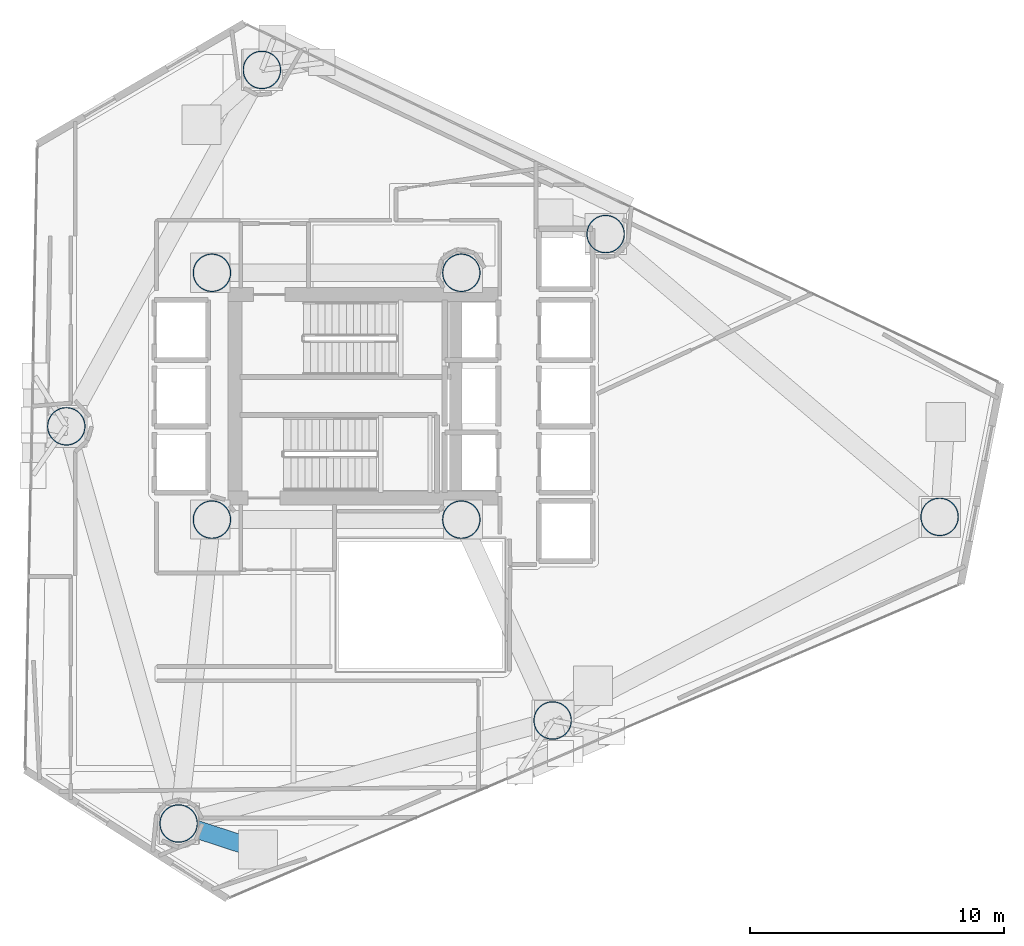
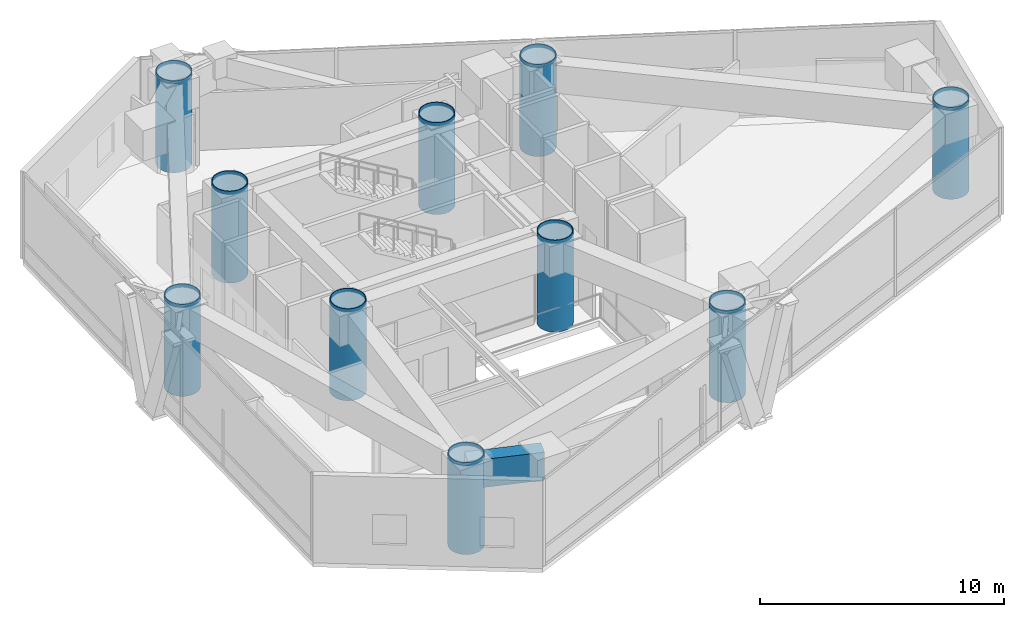
# One storey, part 1 of 22: 10 columns, 1 beam.
"""IFC4 building model written with IfcOpenShell, lengths in metres."""

from ifc_helpers import new_model, si_unit, direction, frame, origin, origin_2d, place, context, subcontext, project, spatial, hollow_rectangle, hollow_circle, extrude, material, material_profile, profile_set, type_object, element, save


model = new_model("IFC4")

# Units and contexts
model_context = context("Model", 3, precision=1e-05, world=origin(), true_north=direction((0.0, 1.0)))
body_context = subcontext(model_context, "Body", "Model", "MODEL_VIEW")
ifc_project = project(units=[si_unit("LENGTHUNIT", "METRE"), si_unit("AREAUNIT", "SQUARE_METRE"), si_unit("VOLUMEUNIT", "CUBIC_METRE"), si_unit("PLANEANGLEUNIT", "RADIAN"), si_unit("MASSUNIT", "GRAM", prefix="KILO")], contexts=[model_context])

# Site, building, storey
site_placement = place(None, origin())
site = spatial("IfcSite", under=ifc_project, at=site_placement, CompositionType="ELEMENT")
building_placement = place(site_placement, origin())
building = spatial("IfcBuilding", under=site, at=building_placement, Name="Qianvela Tower", CompositionType="ELEMENT")
storey_placement = place(building_placement, frame((0.0, 0.0, 138.5)))
storey = spatial("IfcBuildingStorey", under=building, at=storey_placement, Name="L35", CompositionType="ELEMENT", Elevation=138.5)

# Columns
ifc_material_1 = material(Name="Steel Q420GJC", Category="steel")
ifc_material_profile_1 = material_profile(ifc_material_1, hollow_circle(Radius=0.75, WallThickness=0.035888671875, at=origin_2d()), Name="CFT-1500x36")
ifc_profile_set_1 = profile_set([ifc_material_profile_1], Name="Steel Q420GJC")
column_type = type_object("IfcColumnType", Name="COL-CFT-1500x36", PredefinedType="COLUMN", material=ifc_profile_set_1)
for number, where, z_axis, x_axis, name in (
    (1, (28.60009765625, 33.550048828125, 0.0), (0.0, 0.0, 1.0), (1.0, 0.0, 0.0), "L35 Core Corner Mega-Column CC-NW"),
    (2, (28.60009765625, 23.85009765625, 0.0), (0.0, 0.0, 1.0), (1.0, 0.0, 0.0), "L35 Core Corner Mega-Column CC-SW"),
    (3, (38.39990234375, 33.550048828125, 0.0), (0.0, 0.0, 1.0), (1.0, 0.0, 0.0), "L35 Core Corner Mega-Column CC-NE"),
    (4, (38.39990234375, 23.85009765625, 0.0), (0.0, 0.0, 1.0), (1.0, 0.0, 0.0), "L35 Core Corner Mega-Column CC-SE"),
    (5, (57.194091796875, 23.9580078125, 0.0), (0.0, 0.0, 1.0), (1.0, 0.0, 0.0), "L35 Zone Z3 CFT Mega-Column C1"),
    (6, (44.071044921875, 35.070068359375, 0.0), (0.0, 0.0, 1.0), (1.0, 0.0, 0.0), "L35 Zone Z3 CFT Mega-Column C2"),
    (7, (30.56396484375, 41.52099609375, 0.0), (0.0, 0.0, 1.0), (1.0, 0.0, 0.0), "L35 Zone Z3 CFT Mega-Column C3"),
    (8, (22.8779296875, 27.51611328125, 0.0), (0.0, 0.0, 1.0), (1.0, 0.0, 0.0), "L35 Zone Z3 CFT Mega-Column C4"),
    (9, (27.2919921875, 11.908935546875, 0.0), (0.0, 0.0, 1.0), (1.0, 0.0, 0.0), "L35 Zone Z3 CFT Mega-Column C5"),
    (10, (41.988037109375, 15.95703125, 0.0), (0.0, 0.0, 1.0), (1.0, 0.0, 0.0), "L35 Zone Z3 CFT Mega-Column C6"),
):
    element("IfcColumn", number, at=place(storey_placement, frame(where, z_axis=z_axis, x_axis=x_axis)), inside=storey, type_object=column_type, Name=name, PredefinedType="COLUMN", context=body_context, shape_type="SweptSolid", body=[
        extrude(hollow_circle(Radius=0.75, WallThickness=0.035888671875, at=origin_2d()), origin(), (0.0, 0.0, 1.0), 4.60009765625),
    ])

# Beam
ifc_material_2 = material(Name="Steel Q420GJC", Category="steel")
ifc_material_profile_2 = material_profile(ifc_material_2, hollow_rectangle(XDim=0.699951171875, YDim=1.39990234375, WallThickness=0.0400390625, at=origin_2d()), Name="TG-BOX-1400x700x40")
ifc_profile_set_2 = profile_set([ifc_material_profile_2], Name="Steel Q420GJC")
beam_type = type_object("IfcBeamType", Name="BM-TG-STEP-1400", PredefinedType="BEAM", material=ifc_profile_set_2)
beam_placement = place(storey_placement, frame((27.2919921875, 11.908935546875, 3.677978515625), z_axis=(0.950378349272, -0.311096437195, 0.0), x_axis=(0.311096437195, 0.950378349272, 0.0)))
element("IfcBeam", 11, at=beam_placement, inside=storey, type_object=beam_type, Name="L35 Zone-Step Transfer Girder 5", PredefinedType="BEAM", context=body_context, shape_type="SweptSolid", body=[
    extrude(hollow_rectangle(XDim=0.699951171875, YDim=1.39990234375, WallThickness=0.0400390625, at=origin_2d()), origin(), (0.0, 0.0, 1.0), 3.21435546875),
])

save(model, "model.ifc")
